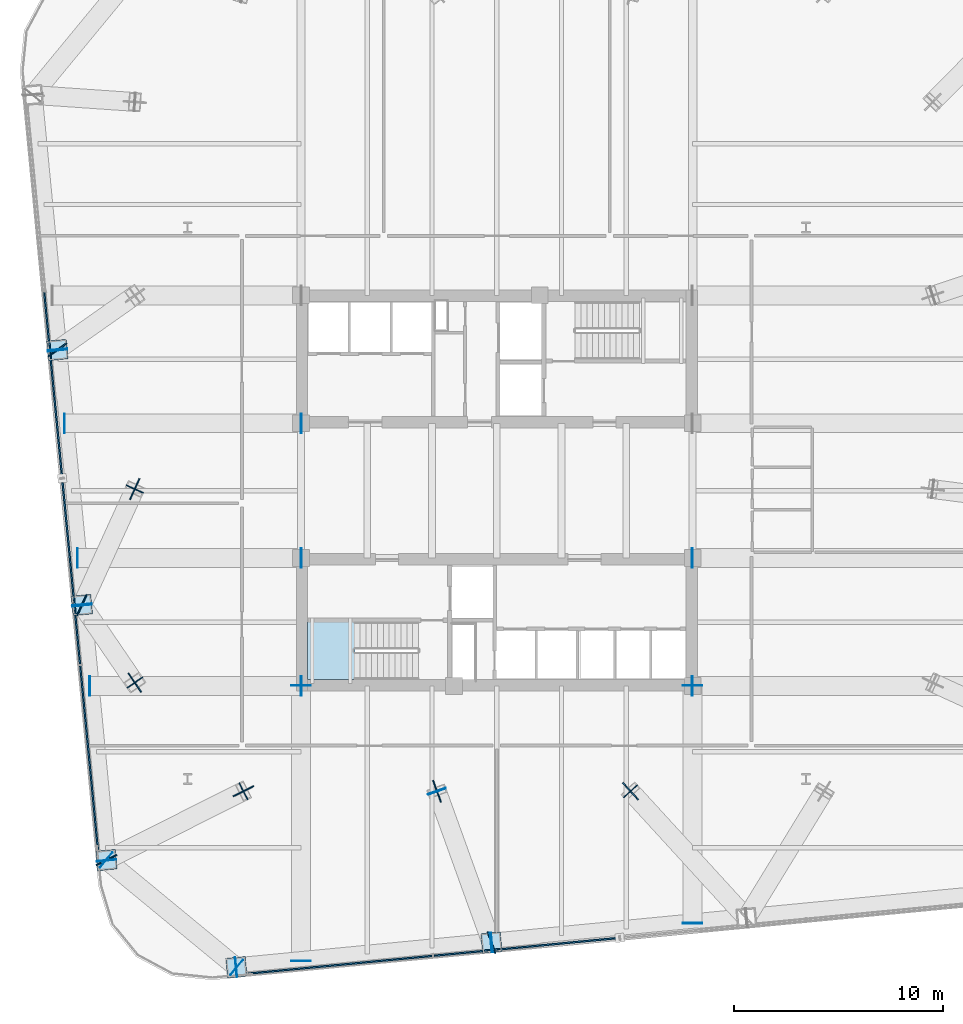
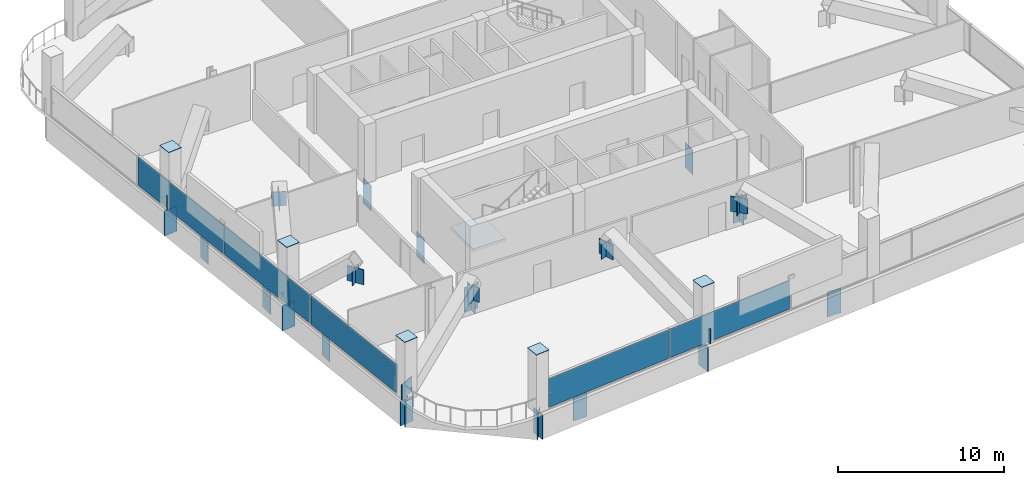
# One storey, part 21 of 30: 46 plates, 1 slab, 3 elements without a shape of their own.
"""IFC4 building model written with IfcOpenShell, lengths in metres."""

from ifc_helpers import new_model, si_unit, direction, frame, origin, origin_2d, place, context, subcontext, project, spatial, polyline, rectangle, outline, extrude, material, layer, layer_set, type_object, element, aggregate, save


model = new_model("IFC4")

# Units and contexts
model_context = context("Model", 3, precision=1e-05, world=origin(), true_north=direction((0.0, 1.0)))
body_context = subcontext(model_context, "Body", "Model", "MODEL_VIEW")
ifc_project = project(units=[si_unit("LENGTHUNIT", "METRE"), si_unit("AREAUNIT", "SQUARE_METRE"), si_unit("VOLUMEUNIT", "CUBIC_METRE"), si_unit("PLANEANGLEUNIT", "RADIAN"), si_unit("MASSUNIT", "GRAM", prefix="KILO")], contexts=[model_context])

# Site, building, storey
site_placement = place(None, origin())
site = spatial("IfcSite", under=ifc_project, at=site_placement, CompositionType="ELEMENT")
building_placement = place(site_placement, origin())
building = spatial("IfcBuilding", under=site, at=building_placement, Name="Qhalaya Broadcast Tower", CompositionType="ELEMENT")
storey_placement = place(building_placement, frame((0.0, 0.0, 96.89990234375)))
storey = spatial("IfcBuildingStorey", under=building, at=storey_placement, Name="L28", CompositionType="ELEMENT", Elevation=96.89990234375)

# Plates
ifc_material_1 = material(Name="Structural Steel ASTM A572 Grade 50", Category="steel")
ifc_layer_1 = layer(ifc_material_1, 0.054931640625, Name="Structural Steel ASTM A572 Grade 50")
ifc_layer_set_1 = layer_set([ifc_layer_1], Name="Structural Steel ASTM A572 Grade 50")
plate_type_1 = type_object("IfcPlateType", Name="Exoskeleton Diamond Node Gusset Plate NP-01", PredefinedType="USERDEFINED", material=ifc_layer_set_1)
for number, where, z_axis, x_axis, name in (
    (1, (-18.685546875, -17.085205078125, 0.0), (0.0, 0.0, 1.0), (0.893473312578, 0.449116287514, 0.0), "L28 Strut Foot Gusset Plate 01"),
    (2, (-12.1298828125, -13.7900390625, 2.7099609375), (0.0, 0.0, 1.0), (0.893473312578, 0.449116287514, 0.0), "L28 Strut Head Gusset Plate 01"),
    (3, (-0.255126953125, -21.036865234375, 0.0), (0.0, 0.0, 1.0), (-0.338622967447, 0.940922146576, 0.0), "L28 Strut Foot Gusset Plate 02"),
    (4, (-2.86328125, -13.7900390625, 2.7099609375), (0.0, 0.0, 1.0), (-0.338622967447, 0.940922146576, 0.0), "L28 Strut Head Gusset Plate 02"),
    (5, (6.4033203125, -13.7900390625, 2.7099609375), (0.0, 0.0, 1.0), (-0.674830642456, 0.73797263093, 0.0), "L28 Strut Head Gusset Plate 03"),
    (6, (-21.036865234375, 7.335205078125, 0.0), (0.0, 0.0, 1.0), (0.817858576328, 0.575419281156, 0.0), "L28 Strut Foot Gusset Plate 14"),
    (7, (-19.861083984375, -4.875, 0.0), (0.0, 0.0, 1.0), (0.414852054542, 0.909888879393, 0.0), "L28 Strut Foot Gusset Plate 15"),
    (8, (-17.330078125, 0.6767578125, 2.7099609375), (0.0, 0.0, 1.0), (0.414852054542, 0.909888879393, 0.0), "L28 Strut Head Gusset Plate 15"),
    (9, (-17.330078125, -8.590087890625, 2.7099609375), (0.0, 0.0, 1.0), (0.563064580746, -0.826412897957, 0.0), "L28 Strut Head Gusset Plate 16"),
):
    element("IfcPlate", number, at=place(storey_placement, frame(where, z_axis=z_axis, x_axis=x_axis)), inside=storey, type_object=plate_type_1, Name=name, ObjectType="GUSSET_PLATE", PredefinedType="USERDEFINED", context=body_context, shape_type="SweptSolid", body=[
        extrude(rectangle(XDim=1.10009765625, YDim=0.06005859375, at=origin_2d()), origin(), (0.0, 0.0, 1.0), 1.10009765625),
    ])
ifc_layer_2 = layer(ifc_material_1, 0.4599609375, Name="Structural Steel ASTM A572 Grade 50")
ifc_layer_set_2 = layer_set([ifc_layer_2], Name="Structural Steel ASTM A572 Grade 50")
plate_type_2 = type_object("IfcPlateType", Name="Hollow Box Member End Cap Plate CP-01", PredefinedType="USERDEFINED", material=ifc_layer_set_2)
for number, where, z_axis, x_axis, name in (
    (10, (-12.481201171875, -22.214111328125, -2.0400390625), (0.0, 0.0, 1.0), (-0.09584575252, 0.995396198367, 0.0), "L28 Hollow Girder End Cap L28-SPR-01-A"),
    (11, (-0.2392578125, -21.035400390625, -2.0400390625), (0.0, 0.0, 1.0), (-0.09584575252, 0.995396198367, 0.0), "L28 Hollow Girder End Cap L28-SPR-01-B"),
    (12, (-0.27099609375, -21.038330078125, -2.0400390625), (0.0, 0.0, 1.0), (-0.09584575252, 0.995396198367, 0.0), "L28 Hollow Girder End Cap L28-SPR-02-A"),
    (13, (-21.035400390625, 7.3193359375, -2.0400390625), (0.0, 0.0, 1.0), (0.995396198367, 0.09584575252, 0.0), "L28 Hollow Girder End Cap L28-SPR-13-B"),
    (14, (-21.038330078125, 7.35107421875, -2.0400390625), (0.0, 0.0, 1.0), (0.995396198367, 0.09584575252, 0.0), "L28 Hollow Girder End Cap L28-SPR-14-A"),
    (15, (-19.859619140625, -4.890869140625, -2.0400390625), (0.0, 0.0, 1.0), (0.995396198367, 0.09584575252, 0.0), "L28 Hollow Girder End Cap L28-SPR-14-B"),
    (16, (-19.86279296875, -4.859130859375, -2.0400390625), (0.0, 0.0, 1.0), (0.995396198367, 0.09584575252, 0.0), "L28 Hollow Girder End Cap L28-SPR-15-A"),
    (17, (-18.68408203125, -17.10107421875, -2.0400390625), (0.0, 0.0, 1.0), (0.995396198367, 0.09584575252, 0.0), "L28 Hollow Girder End Cap L28-SPR-15-B"),
    (18, (-18.69775390625, -17.074951171875, -2.0400390625), (0.0, 0.0, 1.0), (0.636078220278, 0.771624583388, 0.0), "L28 Hollow Girder End Cap L28-SPR-16-A"),
    (19, (-12.453125, -22.222900390625, -2.0400390625), (0.0, 0.0, 1.0), (0.636078220278, 0.771624583388, 0.0), "L28 Hollow Girder End Cap L28-SPR-16-B"),
    (20, (-9.375, -21.910888671875, -2.0400390625), (0.0, 0.0, 1.0), (-1.0, 0.0, 0.0), "L28 Hollow Girder End Cap L28-PGXS1-1-A"),
    (21, (-9.375, -8.73388671875, -2.0400390625), (0.0, 0.0, 1.0), (-1.0, 0.0, 0.0), "L28 Hollow Girder End Cap L28-PGXS1-1-B"),
    (22, (9.375, -20.10546875, -2.0400390625), (0.0, 0.0, 1.0), (-1.0, 0.0, 0.0), "L28 Hollow Girder End Cap L28-PGXS2-1-A"),
    (23, (9.375, -8.73388671875, -2.0400390625), (0.0, 0.0, 1.0), (-1.0, 0.0, 0.0), "L28 Hollow Girder End Cap L28-PGXS2-1-B"),
    (24, (-19.48388671875, -8.75, -2.0400390625), (0.0, 0.0, 1.0), (0.0, 1.0, 0.0), "L28 Hollow Girder End Cap L28-PGYW1-1-A"),
    (25, (-9.35888671875, -8.75, -2.0400390625), (0.0, 0.0, 1.0), (0.0, 1.0, 0.0), "L28 Hollow Girder End Cap L28-PGYW1-1-B"),
    (26, (9.35888671875, -8.75, -2.0400390625), (0.0, 0.0, 1.0), (0.0, 1.0, 0.0), "L28 Hollow Girder End Cap L28-PGYE1-1-A"),
    (27, (-20.07373046875, -2.625, -2.0400390625), (0.0, 0.0, 1.0), (0.0, 1.0, 0.0), "L28 Hollow Girder End Cap L28-PGYW2-1-A"),
    (28, (-9.35888671875, -2.625, -2.0400390625), (0.0, 0.0, 1.0), (0.0, 1.0, 0.0), "L28 Hollow Girder End Cap L28-PGYW2-1-B"),
    (29, (9.35888671875, -2.625, -2.0400390625), (0.0, 0.0, 1.0), (0.0, 1.0, 0.0), "L28 Hollow Girder End Cap L28-PGYE2-1-A"),
    (30, (-20.69482421875, 3.824951171875, -2.0400390625), (0.0, 0.0, 1.0), (0.0, 1.0, 0.0), "L28 Hollow Girder End Cap L28-PGYW3-1-A"),
    (31, (-9.35888671875, 3.824951171875, -2.0400390625), (0.0, 0.0, 1.0), (0.0, 1.0, 0.0), "L28 Hollow Girder End Cap L28-PGYW3-1-B"),
):
    element("IfcPlate", number, at=place(storey_placement, frame(where, z_axis=z_axis, x_axis=x_axis)), inside=storey, type_object=plate_type_2, Name=name, ObjectType="COVER_PLATE", PredefinedType="USERDEFINED", context=body_context, shape_type="SweptSolid", body=[
        extrude(rectangle(XDim=0.93994140625, YDim=0.031982421875, at=origin_2d()), origin(), (0.0, 0.0, 1.0), 1.840087890625),
    ])
for number, where, z_axis, x_axis, name in (
    (32, (-12.46533203125, -22.212646484375, 4.35009765625), (0.0, 0.0, 1.0), (0.995396198367, 0.09584575252, 0.0), "L28 Hollow Box Column Top Cap Plate COL-EX01"),
    (33, (-0.255126953125, -21.036865234375, 4.35009765625), (0.0, 0.0, 1.0), (0.995396198367, 0.09584575252, 0.0), "L28 Hollow Box Column Top Cap Plate COL-EX02"),
    (34, (-21.036865234375, 7.335205078125, 4.35009765625), (0.0, 0.0, 1.0), (-0.09584575252, 0.995396198367, 0.0), "L28 Hollow Box Column Top Cap Plate COL-EX14"),
    (35, (-19.861083984375, -4.875, 4.35009765625), (0.0, 0.0, 1.0), (-0.09584575252, 0.995396198367, 0.0), "L28 Hollow Box Column Top Cap Plate COL-EX15"),
    (36, (-18.685546875, -17.085205078125, 4.35009765625), (0.0, 0.0, 1.0), (-0.09584575252, 0.995396198367, 0.0), "L28 Hollow Box Column Top Cap Plate COL-EX16"),
):
    element("IfcPlate", number, at=place(storey_placement, frame(where, z_axis=z_axis, x_axis=x_axis)), inside=storey, type_object=plate_type_2, Name=name, ObjectType="COVER_PLATE", PredefinedType="USERDEFINED", context=body_context, shape_type="SweptSolid", body=[
        extrude(rectangle(XDim=0.93994140625, YDim=0.93994140625, at=origin_2d()), origin(), (0.0, 0.0, 1.0), 0.031982421875),
    ])

# Curtain wall, plates
ifc_material_2 = material(Name="Fired Architectural Terracotta", Category="masonry")
ifc_layer_3 = layer(ifc_material_2, 0.219970703125, Name="Fired Architectural Terracotta")
ifc_layer_set_3 = layer_set([ifc_layer_3], Name="Fired Architectural Terracotta")
curtain_wall_type = type_object("IfcCurtainWallType", Name="Block-Cap Unitised Terracotta Spandrel Wall CW-07", PredefinedType="NOTDEFINED", material=ifc_layer_set_3)
curtain_wall_1_placement = place(storey_placement, origin())
curtain_wall_1 = element("IfcCurtainWall", 37, at=curtain_wall_1_placement, inside=storey, type_object=curtain_wall_type, Name="L28 Unitised Curtain Wall L28-CW-S", PredefinedType="NOTDEFINED")
ifc_layer_4 = layer(ifc_material_2, 0.080078125, Name="Fired Architectural Terracotta")
ifc_layer_set_4 = layer_set([ifc_layer_4], Name="Fired Architectural Terracotta")
plate_type_3 = type_object("IfcPlateType", Name="Insulated Terracotta Spandrel Panel TSP-07", PredefinedType="CURTAIN_PANEL", material=ifc_layer_set_4)
plate_1_placement = place(storey_placement, frame((1.41455078125, -21.23779296875, 0.074951171875), z_axis=(0.0, 0.0, 1.0), x_axis=(-0.995396096278, -0.095846812756, 0.0)))
plate_1 = element("IfcPlate", 38, at=plate_1_placement, type_object=plate_type_3, Name="CW-07 panel 3.1", PredefinedType="CURTAIN_PANEL", context=body_context, shape_type="SweptSolid", body=[
    extrude(rectangle(XDim=8.906005859375, YDim=0.080078125, at=origin_2d()), origin(), (0.0, 0.0, 1.0), 2.10009765625),
])
plate_2_placement = place(storey_placement, frame((-7.50634765625, -22.096923828125, 0.074951171875), z_axis=(0.0, 0.0, 1.0), x_axis=(-0.995396096278, -0.095846812756, 0.0)))
plate_2 = element("IfcPlate", 39, at=plate_2_placement, type_object=plate_type_3, Name="CW-07 panel 4.1", PredefinedType="CURTAIN_PANEL", context=body_context, shape_type="SweptSolid", body=[
    extrude(rectangle(XDim=8.868408203125, YDim=0.080078125, at=origin_2d()), origin(), (0.0, 0.0, 1.0), 2.10009765625),
])
aggregate(curtain_wall_1, [plate_1, plate_2])

curtain_wall_2_placement = place(storey_placement, origin())
curtain_wall_2 = element("IfcCurtainWall", 40, at=curtain_wall_2_placement, inside=storey, type_object=curtain_wall_type, Name="L28 Unitised Curtain Wall L28-CW-W", PredefinedType="NOTDEFINED")
plate_3_placement = place(storey_placement, frame((-19.51806640625, -12.1953125, 0.074951171875), z_axis=(0.0, 0.0, 1.0), x_axis=(-0.095846812756, 0.995396096278, 0.0)))
plate_3 = element("IfcPlate", 41, at=plate_3_placement, type_object=plate_type_3, Name="CW-07 panel 1.1", PredefinedType="CURTAIN_PANEL", context=body_context, shape_type="SweptSolid", body=[
    extrude(rectangle(XDim=8.868408203125, YDim=0.080078125, at=origin_2d()), origin(), (0.0, 0.0, 1.0), 2.10009765625),
])
plate_4_placement = place(storey_placement, frame((-20.376953125, -3.274169921875, 0.074951171875), z_axis=(0.0, 0.0, 1.0), x_axis=(-0.095846812756, 0.995396096278, 0.0)))
plate_4 = element("IfcPlate", 42, at=plate_4_placement, type_object=plate_type_3, Name="CW-07 panel 2.1", PredefinedType="CURTAIN_PANEL", context=body_context, shape_type="SweptSolid", body=[
    extrude(rectangle(XDim=8.906005859375, YDim=0.080078125, at=origin_2d()), origin(), (0.0, 0.0, 1.0), 2.10009765625),
])
plate_5_placement = place(storey_placement, frame((-21.23779296875, 5.66552734375, 0.074951171875), z_axis=(0.0, 0.0, 1.0), x_axis=(-0.095846812756, 0.995396096278, 0.0)))
plate_5 = element("IfcPlate", 43, at=plate_5_placement, type_object=plate_type_3, Name="CW-07 panel 3.1", PredefinedType="CURTAIN_PANEL", context=body_context, shape_type="SweptSolid", body=[
    extrude(rectangle(XDim=8.906005859375, YDim=0.080078125, at=origin_2d()), origin(), (0.0, 0.0, 1.0), 2.10009765625),
])
aggregate(curtain_wall_2, [plate_3, plate_4, plate_5])

# Stair, slab
ifc_material_3 = material(Name="Concrete C40/50", Category="concrete")
stair_type = type_object("IfcStairType", Name="Protected Dogleg Core Stair 4200", PredefinedType="TWO_STRAIGHT_RUN_STAIR", material=ifc_material_3)
stair_placement = place(storey_placement, origin())
stair = element("IfcStair", 44, at=stair_placement, inside=storey, type_object=stair_type, Name="L28 South Core Exit Stair ST-2", PredefinedType="TWO_STRAIGHT_RUN_STAIR")
ifc_layer_5 = layer(ifc_material_3, 0.199951171875, Name="Concrete C40/50")
ifc_layer_set_5 = layer_set([ifc_layer_5], Name="Concrete C40/50")
slab_type = type_object("IfcSlabType", Name="Stair & Ramp Half-Landing Slab 200", PredefinedType="LANDING", material=ifc_layer_set_5)
slab_placement = place(storey_placement, frame((0.0, 0.0, 1.97509765625)))
slab = element("IfcSlab", 45, at=slab_placement, type_object=slab_type, Name="ST-2 landing 1", PredefinedType="LANDING", context=body_context, shape_type="SweptSolid", body=[
    extrude(outline(polyline([(-6.794921875, -5.679931640625), (-9.050048828125, -5.679931640625), (-9.050048828125, -8.43994140625), (-6.794921875, -8.43994140625), (-6.794921875, -5.679931640625)])), origin(), (0.0, 0.0, 1.0), 0.199951171875),
])
aggregate(stair, [slab])

# Plates
ifc_layer_6 = layer(ifc_material_1, 0.044921875, Name="Structural Steel ASTM A572 Grade 50")
ifc_layer_set_6 = layer_set([ifc_layer_6], Name="Structural Steel ASTM A572 Grade 50")
plate_type_4 = type_object("IfcPlateType", Name="Transfer Girder Web Stiffener Plate WS-01", PredefinedType="USERDEFINED", material=ifc_layer_set_6)
for number, where, z_axis, x_axis, name in (
    (46, (-12.1298828125, -13.7900390625, 2.73486328125), (0.0, 0.0, 1.0), (-0.449116287514, 0.893473312578, 0.0), "L28 Strut Head Cross Diaphragm Plate 01"),
    (47, (-2.86328125, -13.7900390625, 2.73486328125), (0.0, 0.0, 1.0), (-0.940922146576, -0.338622967447, 0.0), "L28 Strut Head Cross Diaphragm Plate 02"),
    (48, (6.4033203125, -13.7900390625, 2.73486328125), (0.0, 0.0, 1.0), (-0.73797263093, -0.674830642456, 0.0), "L28 Strut Head Cross Diaphragm Plate 03"),
    (49, (-17.330078125, 0.6767578125, 2.73486328125), (0.0, 0.0, 1.0), (-0.909888879393, 0.414852054542, 0.0), "L28 Strut Head Cross Diaphragm Plate 15"),
    (50, (-17.330078125, -8.590087890625, 2.73486328125), (0.0, 0.0, 1.0), (0.826412897957, 0.563064580746, 0.0), "L28 Strut Head Cross Diaphragm Plate 16"),
):
    element("IfcPlate", number, at=place(storey_placement, frame(where, z_axis=z_axis, x_axis=x_axis)), inside=storey, type_object=plate_type_4, Name=name, ObjectType="STIFFENER_PLATE", PredefinedType="USERDEFINED", context=body_context, shape_type="SweptSolid", body=[
        extrude(rectangle(XDim=0.89990234375, YDim=0.044921875, at=origin_2d()), origin(), (0.0, 0.0, 1.0), 1.050048828125),
    ])

save(model, "model.ifc")
